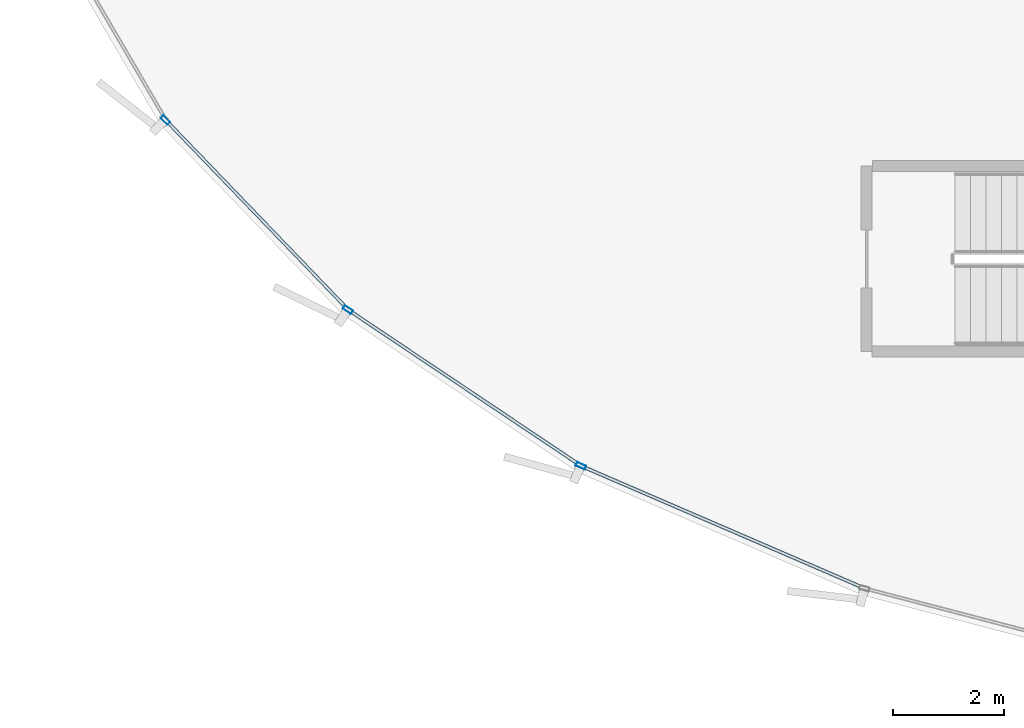
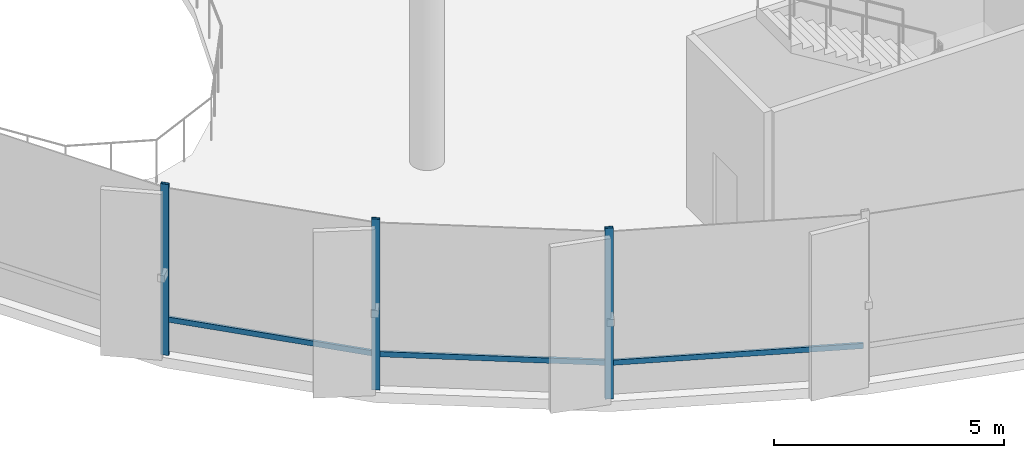
# One storey, part 2 of 34: 6 members, 1 element without a shape of its own.
"""IFC4 building model written with IfcOpenShell, lengths in metres."""

from ifc_helpers import new_model, si_unit, direction, frame, origin, origin_2d, place, context, subcontext, project, spatial, hollow_rectangle, extrude, source, transform, mapped, material, layer, layer_set, material_profile, profile_set, type_object, element, aggregate, save


model = new_model("IFC4")

# Units and contexts
model_context = context("Model", 3, precision=1e-05, world=origin(), true_north=direction((0.0, 1.0)))
body_context = subcontext(model_context, "Body", "Model", "MODEL_VIEW")
ifc_project = project(units=[si_unit("LENGTHUNIT", "METRE"), si_unit("AREAUNIT", "SQUARE_METRE"), si_unit("VOLUMEUNIT", "CUBIC_METRE"), si_unit("PLANEANGLEUNIT", "RADIAN"), si_unit("MASSUNIT", "GRAM", prefix="KILO"), si_unit("THERMODYNAMICTEMPERATUREUNIT", "KELVIN")], contexts=[model_context])

# Site, building, storey
site_placement = place(None, origin())
site = spatial("IfcSite", under=ifc_project, at=site_placement, CompositionType="ELEMENT")
building_placement = place(site_placement, origin())
building = spatial("IfcBuilding", under=site, at=building_placement, Name="Kethvar Cultural Tower", CompositionType="ELEMENT")
storey_placement = place(building_placement, frame((0.0, 0.0, 14.800048828125)))
storey = spatial("IfcBuildingStorey", under=building, at=storey_placement, Name="L03", CompositionType="ELEMENT", Elevation=14.800048828125)

# Curtain wall, members
ifc_material = material(Name="Aluminium 6063-T6", Category="aluminium")
ifc_layer = layer(ifc_material, 0.179931640625, Name="Aluminium 6063-T6", Category="aluminium")
ifc_layer_set = layer_set([ifc_layer], Name="Aluminium 6063-T6 (180 mm)")
curtain_wall_type = type_object("IfcCurtainWallType", Name="CW-SYS-01-POD", PredefinedType="NOTDEFINED", material=ifc_layer_set)
curtain_wall_placement = place(storey_placement, origin())
curtain_wall = element("IfcCurtainWall", 1, at=curtain_wall_placement, inside=storey, type_object=curtain_wall_type, Name="L03 Curtain Wall Run 04", PredefinedType="NOTDEFINED")
ifc_material_profile_1 = material_profile(ifc_material, hollow_rectangle(XDim=0.06005859375, YDim=0.139892578125, WallThickness=0.0048828125, at=origin_2d()), Name="Aluminium 6063-T6 — RHS140x60x5")
ifc_profile_set_1 = profile_set([ifc_material_profile_1], Name="Aluminium 6063-T6 — RHS140x60x5")
member_type_1 = type_object("IfcMemberType", Name="CW-SYS-01-POD-TRN", PredefinedType="USERDEFINED", material=ifc_profile_set_1)
shared_shape_1 = source(origin(), body_context, "Body", "SweptSolid", [
    extrude(hollow_rectangle(XDim=0.06005859375, YDim=0.139892578125, WallThickness=0.0048828125, at=origin_2d()), origin(), (0.0, 0.0, 1.0), 4.6826171875),
])
member_1_placement = place(storey_placement, frame((5.24658203125, 11.657470703125, 0.949951171875), z_axis=(0.693341040309, -0.72060960431, 0.0), x_axis=(0.72060960431, 0.693341040309, 0.0)))
member_1 = element("IfcMember", 2, at=member_1_placement, type_object=member_type_1, Name="CW-L03-R04 Transom 2", ObjectType="TRANSOM", PredefinedType="USERDEFINED", context=body_context, shape_type="MappedRepresentation", body=[
    mapped(shared_shape_1, transform((0.0, 0.0, 0.0), scale=1.0)),
])
shared_shape_2 = source(origin(), body_context, "Body", "SweptSolid", [
    extrude(hollow_rectangle(XDim=0.06005859375, YDim=0.139892578125, WallThickness=0.0048828125, at=origin_2d()), origin(), (0.0, 0.0, 1.0), 4.991455078125),
])
member_2_placement = place(storey_placement, frame((8.55419921875, 8.232177734375, 0.949951171875), z_axis=(0.830806616573, -0.556561196867, 0.0), x_axis=(0.556561196867, 0.830806616573, 0.0)))
member_2 = element("IfcMember", 3, at=member_2_placement, type_object=member_type_1, Name="CW-L03-R04 Transom 3", ObjectType="TRANSOM", PredefinedType="USERDEFINED", context=body_context, shape_type="MappedRepresentation", body=[
    mapped(shared_shape_2, transform((0.0, 0.0, 0.0), scale=1.0)),
])
shared_shape_3 = source(origin(), body_context, "Body", "SweptSolid", [
    extrude(hollow_rectangle(XDim=0.06005859375, YDim=0.139892578125, WallThickness=0.0048828125, at=origin_2d()), origin(), (0.0, 0.0, 1.0), 5.504638671875),
])
member_3_placement = place(storey_placement, frame((12.77490234375, 5.413818359375, 0.949951171875), z_axis=(0.918072625283, -0.39641222825, 0.0), x_axis=(0.39641222825, 0.918072625283, 0.0)))
member_3 = element("IfcMember", 4, at=member_3_placement, type_object=member_type_1, Name="CW-L03-R04 Transom 4", ObjectType="TRANSOM", PredefinedType="USERDEFINED", context=body_context, shape_type="MappedRepresentation", body=[
    mapped(shared_shape_3, transform((0.0, 0.0, 0.0), scale=1.0)),
])
ifc_material_profile_2 = material_profile(ifc_material, hollow_rectangle(XDim=0.074951171875, YDim=0.179931640625, WallThickness=0.006103515625, at=origin_2d()), Name="Aluminium 6063-T6 — RHS180x75x6")
ifc_profile_set_2 = profile_set([ifc_material_profile_2], Name="Aluminium 6063-T6 — RHS180x75x6")
member_type_2 = type_object("IfcMemberType", Name="CW-SYS-01-POD-MUL", PredefinedType="MULLION", material=ifc_profile_set_2)
shared_shape_4 = source(origin(), body_context, "Body", "SweptSolid", [
    extrude(hollow_rectangle(XDim=0.074951171875, YDim=0.179931640625, WallThickness=0.006103515625, at=origin_2d()), origin(), (0.0, 0.0, 1.0), 4.530029296875),
])
member_4_placement = place(storey_placement, frame((5.209228515625, 11.6962890625, 0.0), z_axis=(0.0, 0.0, 1.0), x_axis=(0.720611619661, 0.693338945689, 0.0)))
member_4 = element("IfcMember", 5, at=member_4_placement, type_object=member_type_2, Name="CW-L03-R04 Mullion 2", PredefinedType="MULLION", context=body_context, shape_type="MappedRepresentation", body=[
    mapped(shared_shape_4, transform((0.0, 0.0, 0.0), scale=1.0)),
])
member_5_placement = place(storey_placement, frame((8.50927734375, 8.26220703125, 0.0), z_axis=(0.0, 0.0, 1.0), x_axis=(0.556556649514, 0.830809662848, 0.0)))
member_5 = element("IfcMember", 6, at=member_5_placement, type_object=member_type_2, Name="CW-L03-R04 Mullion 3", PredefinedType="MULLION", context=body_context, shape_type="MappedRepresentation", body=[
    mapped(shared_shape_4, transform((0.0, 0.0, 0.0), scale=1.0)),
])
member_6_placement = place(storey_placement, frame((12.72509765625, 5.435302734375, 0.0), z_axis=(0.0, 0.0, 1.0), x_axis=(0.396410942082, 0.918073180633, 0.0)))
member_6 = element("IfcMember", 7, at=member_6_placement, type_object=member_type_2, Name="CW-L03-R04 Mullion 4", PredefinedType="MULLION", context=body_context, shape_type="MappedRepresentation", body=[
    mapped(shared_shape_4, transform((0.0, 0.0, 0.0), scale=1.0)),
])
aggregate(curtain_wall, [member_4, member_5, member_6, member_1, member_2, member_3])

save(model, "model.ifc")
